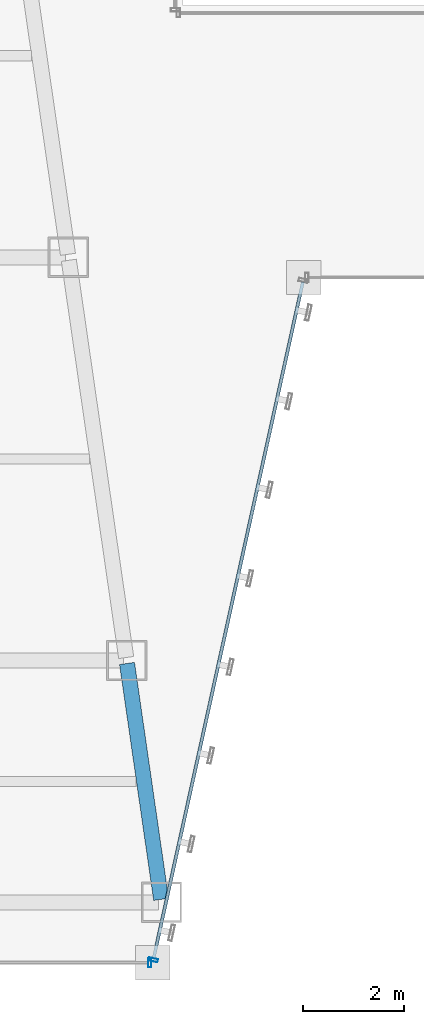
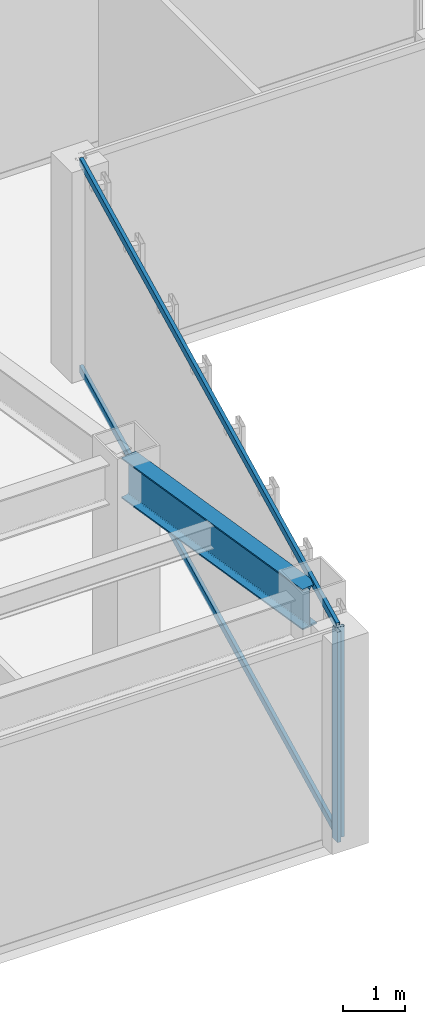
# One storey, part 7 of 47: 4 members, 1 beam, 2 elements without a shape of their own.
"""IFC4 building model written with IfcOpenShell, lengths in metres."""

from ifc_helpers import new_model, si_unit, direction, frame, origin, origin_2d, place, context, subcontext, project, spatial, hollow_rectangle, i_section, extrude, material, material_profile, profile_set, type_object, element, aggregate, save


model = new_model("IFC4")

# Units and contexts
model_context = context("Model", 3, precision=1e-05, world=origin(), true_north=direction((0.0, 1.0)))
body_context = subcontext(model_context, "Body", "Model", "MODEL_VIEW")
ifc_project = project(units=[si_unit("LENGTHUNIT", "METRE"), si_unit("AREAUNIT", "SQUARE_METRE"), si_unit("VOLUMEUNIT", "CUBIC_METRE"), si_unit("PLANEANGLEUNIT", "RADIAN"), si_unit("MASSUNIT", "GRAM", prefix="KILO")], contexts=[model_context])

# Site, building, storey
site_placement = place(None, origin())
site = spatial("IfcSite", under=ifc_project, at=site_placement, CompositionType="ELEMENT")
building_placement = place(site_placement, origin())
building = spatial("IfcBuilding", under=site, at=building_placement, Name="Saevonmaru Cultural Tower", CompositionType="ELEMENT")
storey_placement = place(building_placement, frame((0.0, 0.0, 69.199951171875)))
storey = spatial("IfcBuildingStorey", under=building, at=storey_placement, Name="L14", CompositionType="ELEMENT", Elevation=69.199951171875)

# Beam
ifc_material_1 = material(Name="Steel SM420", Category="steel")
ifc_material_profile_1 = material_profile(ifc_material_1, i_section(OverallWidth=0.300048828125, OverallDepth=0.800048828125, WebThickness=0.013916015625, FlangeThickness=0.02587890625, FilletRadius=0.028076171875, at=origin_2d()), Name="H-800x300x14x26")
ifc_profile_set_1 = profile_set([ifc_material_profile_1], Name="Steel SM420")
beam_type = type_object("IfcBeamType", Name="BM-G-H800", PredefinedType="BEAM", material=ifc_profile_set_1)
beam_placement = place(storey_placement, frame((23.768310546875, 3.259521484375, 3.75), z_axis=(-0.143083234893, 0.989710658674, 0.0), x_axis=(-0.989710658674, -0.143083234893, 0.0)))
element("IfcBeam", 1, at=beam_placement, inside=storey, type_object=beam_type, Name="L14 West Atrium Girder 1", PredefinedType="BEAM", context=body_context, shape_type="SweptSolid", body=[
    extrude(i_section(OverallWidth=0.300048828125, OverallDepth=0.800048828125, WebThickness=0.013916015625, FlangeThickness=0.02587890625, FilletRadius=0.028076171875, at=origin_2d()), origin(), (0.0, 0.0, 1.0), 4.729736328125),
])

# Curtain wall, member
ifc_material_2 = material(Name="Satin Bronze Anodised Aluminium", Category="aluminium")
curtain_wall_type = type_object("IfcCurtainWallType", Name="CW-TYP-A", PredefinedType="NOTDEFINED", material=ifc_material_2)
curtain_wall_1_placement = place(storey_placement, origin())
curtain_wall_1 = element("IfcCurtainWall", 2, at=curtain_wall_1_placement, inside=storey, type_object=curtain_wall_type, Name="L14 Unitised Curtain Wall E2", PredefinedType="NOTDEFINED")
ifc_material_profile_2 = material_profile(ifc_material_2, hollow_rectangle(XDim=0.06494140625, YDim=0.179931640625, WallThickness=0.00390625, at=origin_2d()), Name="ALU-MULL-180x65x4")
ifc_profile_set_2 = profile_set([ifc_material_profile_2], Name="Satin Bronze Anodised Aluminium")
member_type_1 = type_object("IfcMemberType", Name="ML-CW-180x65", PredefinedType="MULLION", material=ifc_profile_set_2)
member_1_placement = place(storey_placement, frame((23.5400390625, 2.0, 0.0), z_axis=(0.0, 0.0, 1.0), x_axis=(1.0, 0.0, 0.0)))
member_1 = element("IfcMember", 3, at=member_1_placement, type_object=member_type_1, Name="CW-TW-L14-E2 mullion 2", PredefinedType="MULLION", context=body_context, shape_type="SweptSolid", body=[
    extrude(hollow_rectangle(XDim=0.06494140625, YDim=0.179931640625, WallThickness=0.00390625, at=origin_2d()), origin(), (0.0, 0.0, 1.0), 4.150146484375),
])
aggregate(curtain_wall_1, [member_1])

# Curtain wall, members
curtain_wall_2_placement = place(storey_placement, origin())
curtain_wall_2 = element("IfcCurtainWall", 4, at=curtain_wall_2_placement, inside=storey, type_object=curtain_wall_type, Name="L14 Unitised Curtain Wall E3", PredefinedType="NOTDEFINED")
member_2_placement = place(storey_placement, frame((23.61279296875, 2.05859375, 0.0), z_axis=(0.0, 0.0, 1.0), x_axis=(0.215413319953, 0.976522965212, 0.0)))
member_2 = element("IfcMember", 5, at=member_2_placement, type_object=member_type_1, Name="CW-TW-L14-E3 mullion 1", PredefinedType="MULLION", context=body_context, shape_type="SweptSolid", body=[
    extrude(hollow_rectangle(XDim=0.06494140625, YDim=0.179931640625, WallThickness=0.00390625, at=origin_2d()), origin(), (0.0, 0.0, 1.0), 4.150146484375),
])
ifc_material_profile_3 = material_profile(ifc_material_2, hollow_rectangle(XDim=0.06494140625, YDim=0.14990234375, WallThickness=0.00390625, at=origin_2d()), Name="ALU-TRAN-150x65x4")
ifc_profile_set_3 = profile_set([ifc_material_profile_3], Name="Satin Bronze Anodised Aluminium")
member_type_2 = type_object("IfcMemberType", Name="TR-CW-150x65", PredefinedType="USERDEFINED", material=ifc_profile_set_3)
member_3_placement = place(storey_placement, frame((23.619873046875, 2.09033203125, 0.032470703125), z_axis=(0.21541214732, 0.976523223885, 0.0), x_axis=(-0.976523223885, 0.21541214732, 0.0)))
member_3 = element("IfcMember", 6, at=member_3_placement, type_object=member_type_2, Name="CW-TW-L14-E3 transom 1.1", ObjectType="TRANSOM", PredefinedType="USERDEFINED", context=body_context, shape_type="SweptSolid", body=[
    extrude(hollow_rectangle(XDim=0.06494140625, YDim=0.14990234375, WallThickness=0.00390625, at=origin_2d()), origin(), (0.0, 0.0, 1.0), 13.741943359375),
])
member_4_placement = place(storey_placement, frame((23.619873046875, 2.09033203125, 4.117431640625), z_axis=(0.21541214732, 0.976523223885, 0.0), x_axis=(-0.976523223885, 0.21541214732, 0.0)))
member_4 = element("IfcMember", 7, at=member_4_placement, type_object=member_type_2, Name="CW-TW-L14-E3 transom 1.2", ObjectType="TRANSOM", PredefinedType="USERDEFINED", context=body_context, shape_type="SweptSolid", body=[
    extrude(hollow_rectangle(XDim=0.06494140625, YDim=0.14990234375, WallThickness=0.00390625, at=origin_2d()), origin(), (0.0, 0.0, 1.0), 13.741943359375),
])
aggregate(curtain_wall_2, [member_2, member_3, member_4])

save(model, "model.ifc")
